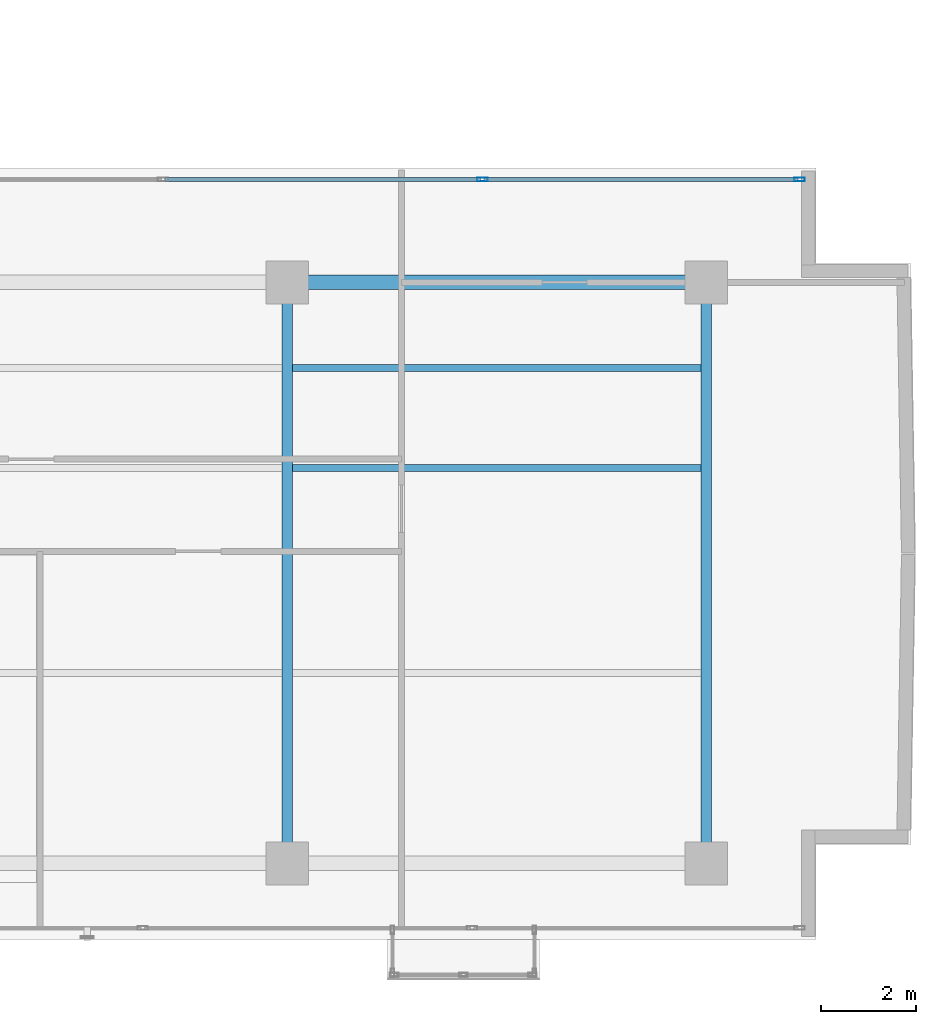
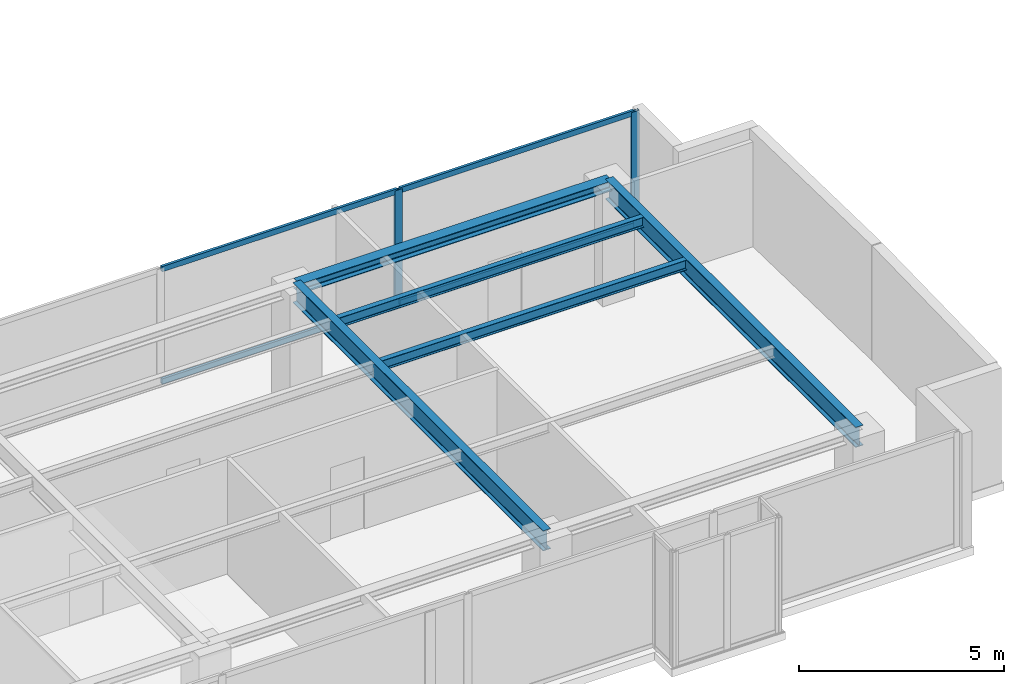
# One storey, part 11 of 23: 6 members, 5 beams, 1 element without a shape of its own.
"""IFC4 building model written with IfcOpenShell, lengths in metres."""

import ifcopenshell
import ifcopenshell.guid

model = None  # the IFC model being written
_history = None  # IfcOwnerHistory: only IFC2X3 demands one
_inside = {}  # id of a spatial element -> (the spatial element, [elements in it])
_under = {}  # id of a project, library or spatial element -> (it, [spatial elements below it])
_declared = {}  # id of a project -> (the project, [libraries it declares])
_typed = {}  # id of a type object -> (the type object, [elements of that type])
_made_of = {}  # id of a material, layer set ... -> (it, [elements and type objects made of it])


def new_model(schema):
    """Start an empty IFC model of exactly this schema.

    Asked for "IFC4X3", IfcOpenShell would pick the latest addendum, in which some entities
    have other attributes; the version numbers below select the first issue.
    IFC2X3 requires an IfcOwnerHistory on every rooted entity: one is made here for all.
    """
    global model, _history
    if schema == "IFC4X3":
        model = ifcopenshell.file(schema_version=(4, 3, 0, 0))
    else:
        model = ifcopenshell.file(schema=schema)
    _inside.clear()
    _under.clear()
    _declared.clear()
    _typed.clear()
    _made_of.clear()
    _history = None
    if model.schema == "IFC2X3":
        org = make("IfcOrganization", Name="unknown")
        user = make(
            "IfcPersonAndOrganization",
            ThePerson=make("IfcPerson", FamilyName="unknown"),
            TheOrganization=org,
        )
        app = make(
            "IfcApplication",
            ApplicationDeveloper=org,
            Version="unknown",
            ApplicationFullName="unknown",
            ApplicationIdentifier="unknown",
        )
        _history = make(
            "IfcOwnerHistory",
            OwningUser=user,
            OwningApplication=app,
            ChangeAction="ADDED",
            CreationDate=0,
        )
    return model


def make(cls, **values):
    """One entity of the class cls with the attributes given. An attribute that is None is left unset."""
    return model.create_entity(
        cls, **{name: value for name, value in values.items() if value is not None}
    )


def rooted(cls, **values):
    """An entity with a GlobalId (a new one), such as an element, a storey or a relation."""
    return make(cls, GlobalId=ifcopenshell.guid.new(), OwnerHistory=_history, **values)


def si_unit(unit_type, name, prefix=None):
    """IfcSIUnit, for example si_unit("LENGTHUNIT", "METRE", prefix="MILLI")."""
    return make("IfcSIUnit", UnitType=unit_type, Prefix=prefix, Name=name)


def assignment(units):
    """IfcUnitAssignment: the units of a project."""
    return None if units is None else make("IfcUnitAssignment", Units=units)


def point(xyz):
    """IfcCartesianPoint."""
    return None if xyz is None else make("IfcCartesianPoint", Coordinates=xyz)


def direction(xyz):
    """IfcDirection."""
    return None if xyz is None else make("IfcDirection", DirectionRatios=xyz)


def frame(location, z_axis=None, x_axis=None):
    """IfcAxis2Placement3D, a coordinate frame: its origin and axes. An axis left out is left unset."""
    return make(
        "IfcAxis2Placement3D",
        Location=point(location),
        Axis=direction(z_axis),
        RefDirection=direction(x_axis),
    )


def frame_2d(location, x_axis=None):
    """IfcAxis2Placement2D, a coordinate frame in the plane: its origin and x axis."""
    return make(
        "IfcAxis2Placement2D", Location=point(location), RefDirection=direction(x_axis)
    )


def origin():
    """The frame at (0, 0, 0) with its axes left unset."""
    return frame((0.0, 0.0, 0.0))


def origin_with_axes():
    """The frame at (0, 0, 0) with the z axis (0, 0, 1) and the x axis (1, 0, 0) written out."""
    return frame((0.0, 0.0, 0.0), z_axis=(0.0, 0.0, 1.0), x_axis=(1.0, 0.0, 0.0))


def origin_2d():
    """The frame at (0, 0) in the plane with its x axis left unset."""
    return frame_2d((0.0, 0.0))


def place(relative_to, where):
    """IfcLocalPlacement: puts the frame where relative to a parent placement (None: the world)."""
    return make(
        "IfcLocalPlacement", PlacementRelTo=relative_to, RelativePlacement=where
    )


def context(
    kind, dimensions, precision=None, world=None, true_north=None, identifier=None
):
    """IfcGeometricRepresentationContext, for example the 3D "Model" context."""
    return make(
        "IfcGeometricRepresentationContext",
        ContextIdentifier=identifier,
        ContextType=kind,
        CoordinateSpaceDimension=dimensions,
        Precision=precision,
        WorldCoordinateSystem=world,
        TrueNorth=true_north,
    )


def subcontext(parent, identifier, kind, view, scale=None):
    """IfcGeometricRepresentationSubContext, for example "Body" below "Model"."""
    return make(
        "IfcGeometricRepresentationSubContext",
        ContextIdentifier=identifier,
        ContextType=kind,
        ParentContext=parent,
        TargetScale=scale,
        TargetView=view,
    )


def project(units=None, contexts=None):
    """IfcProject with its units and contexts."""
    return rooted(
        "IfcProject",
        Name="project",
        RepresentationContexts=contexts,
        UnitsInContext=assignment(units),
    )


def spatial(cls, under=None, at=None, **own):
    """A site, building, storey or space (cls), placed at a placement, below another one or the project."""
    s = rooted(cls, ObjectPlacement=at, **own)
    if under is not None:
        _under.setdefault(under.id(), (under, []))[1].append(s)
    return s


def profile(cls, at=None, kind="AREA", **sizes):
    """A parametric profile (cls). Its sizes go by their IFC names, for example OverallWidth=200.0."""
    return make(cls, ProfileType=kind, Position=at, **sizes)


def hollow_rectangle(**sizes):
    """IfcRectangleHollowProfileDef."""
    return profile("IfcRectangleHollowProfileDef", **sizes)


def i_section(**sizes):
    """IfcIShapeProfileDef."""
    return profile("IfcIShapeProfileDef", **sizes)


def extrude(swept, where, along, depth):
    """IfcExtrudedAreaSolid: the profile swept, set in the frame where, extruded along a direction by depth."""
    return make(
        "IfcExtrudedAreaSolid",
        SweptArea=swept,
        Position=where,
        ExtrudedDirection=direction(along),
        Depth=depth,
    )


def shape(context_of_items, identifier, shape_type, items):
    """IfcShapeRepresentation: the items that make up one representation, for example the "Body"."""
    return make(
        "IfcShapeRepresentation",
        ContextOfItems=context_of_items,
        RepresentationIdentifier=identifier,
        RepresentationType=shape_type,
        Items=items,
    )


def source(mapping_origin, context_of_items, identifier, shape_type, items):
    """IfcRepresentationMap: a shape defined once, which mapped items show again and again."""
    return make(
        "IfcRepresentationMap",
        MappingOrigin=mapping_origin,
        MappedRepresentation=shape(context_of_items, identifier, shape_type, items),
    )


def transform(
    local_origin,
    x_axis=None,
    y_axis=None,
    z_axis=None,
    scale=None,
    scale2=None,
    scale3=None,
    uniform=True,
):
    """IfcCartesianTransformationOperator3D, or its non-uniform kind. x_axis, y_axis, z_axis: its Axis1, 2, 3."""
    if uniform:
        return make(
            "IfcCartesianTransformationOperator3D",
            Axis1=direction(x_axis),
            Axis2=direction(y_axis),
            LocalOrigin=point(local_origin),
            Scale=scale,
            Axis3=direction(z_axis),
        )
    return make(
        "IfcCartesianTransformationOperator3DnonUniform",
        Axis1=direction(x_axis),
        Axis2=direction(y_axis),
        LocalOrigin=point(local_origin),
        Scale=scale,
        Axis3=direction(z_axis),
        Scale2=scale2,
        Scale3=scale3,
    )


def mapped(mapping_source, mapping_target):
    """IfcMappedItem: shows the shape of a source again, moved by a transform."""
    return make(
        "IfcMappedItem", MappingSource=mapping_source, MappingTarget=mapping_target
    )


def material(Name=None, Category=None):
    """IfcMaterial."""
    return make("IfcMaterial", Name=Name, Category=Category)


def layer(
    of_material, thickness, ventilated=None, Name=None, Category=None, Priority=None
):
    """IfcMaterialLayer: one layer of a wall or slab, of a material (None: an air gap)."""
    return make(
        "IfcMaterialLayer",
        Material=of_material,
        LayerThickness=thickness,
        IsVentilated=ventilated,
        Name=Name,
        Category=Category,
        Priority=Priority,
    )


def layer_set(layers, Name=None):
    """IfcMaterialLayerSet."""
    return make("IfcMaterialLayerSet", MaterialLayers=layers, LayerSetName=Name)


def material_profile(
    of_material, cross_section, Name=None, Category=None, Priority=None
):
    """IfcMaterialProfile: a cross section and its material."""
    return make(
        "IfcMaterialProfile",
        Name=Name,
        Material=of_material,
        Profile=cross_section,
        Priority=Priority,
        Category=Category,
    )


def profile_set(profiles, Name=None, composite=None):
    """IfcMaterialProfileSet."""
    return make(
        "IfcMaterialProfileSet",
        Name=Name,
        MaterialProfiles=profiles,
        CompositeProfile=composite,
    )


def made_of(thing, what):
    """Note that an element or type object is made of a material, layer set ...; save() writes the relation."""
    if what is not None:
        _made_of.setdefault(what.id(), (what, []))[1].append(thing)
    return thing


def type_object(cls, material=None, **own):
    """A type object (cls), such as IfcWallType, which elements share."""
    return made_of(rooted(cls, **own), material)


def element(
    cls,
    number,
    at=None,
    inside=None,
    cuts=None,
    type_object=None,
    material=None,
    context=None,
    identifier="Body",
    shape_type=None,
    held_by="IfcProductDefinitionShape",
    body=None,
    shapes=None,
    **own,
):
    """One element of the class cls, such as IfcWall. Its Tag is "e" and its number.

    at: its placement. inside: the storey or other place that contains it. cuts: it is an
    opening in that element (IfcRelVoidsElement). A single representation is given by context,
    identifier, shape_type and body (its items); several are given by shapes. held_by: the class
    of the entity that holds the representations. save() writes the other relations.
    """
    e = rooted(cls, Tag="e%d" % number, ObjectPlacement=at, **own)
    if body is not None:
        shapes = [shape(context, identifier, shape_type, body)]
    if shapes is not None:
        e.Representation = make(held_by, Representations=shapes)
    if inside is not None:
        _inside.setdefault(inside.id(), (inside, []))[1].append(e)
    if cuts is not None:
        rooted(
            "IfcRelVoidsElement", RelatingBuildingElement=cuts, RelatedOpeningElement=e
        )
    if type_object is not None:
        _typed.setdefault(type_object.id(), (type_object, []))[1].append(e)
    return made_of(e, material)


def aggregate(whole, parts):
    """IfcRelAggregates: a whole, such as a stair, and the parts it consists of."""
    return rooted("IfcRelAggregates", RelatingObject=whole, RelatedObjects=parts)


def save(model, path):
    """Write the relations noted so far, then the file.

    IfcRelAggregates (storeys below a building ...), IfcRelContainedInSpatialStructure (elements
    in a storey), IfcRelDefinesByType, IfcRelAssociatesMaterial and IfcRelDeclares: one each for
    every whole, place, type object, material and project.
    """
    for whole, parts in _under.values():
        aggregate(whole, parts)
    for where, things in _inside.values():
        rooted(
            "IfcRelContainedInSpatialStructure",
            RelatedElements=things,
            RelatingStructure=where,
        )
    for kind, things in _typed.values():
        rooted("IfcRelDefinesByType", RelatedObjects=things, RelatingType=kind)
    for what, things in _made_of.values():
        rooted("IfcRelAssociatesMaterial", RelatedObjects=things, RelatingMaterial=what)
    for by, libraries in _declared.values():
        rooted("IfcRelDeclares", RelatingContext=by, RelatedDefinitions=libraries)
    model.write(path)


model = new_model("IFC4")

# Units and contexts
model_context = context("Model", 3, precision=1e-05, world=origin(), true_north=direction((0.0, 1.0)))
body_context = subcontext(model_context, "Body", "Model", "MODEL_VIEW")
ifc_project = project(units=[si_unit("LENGTHUNIT", "METRE"), si_unit("AREAUNIT", "SQUARE_METRE"), si_unit("VOLUMEUNIT", "CUBIC_METRE"), si_unit("PLANEANGLEUNIT", "RADIAN"), si_unit("MASSUNIT", "GRAM", prefix="KILO")], contexts=[model_context])

# Site, building, storey
site_placement = place(None, origin())
site = spatial("IfcSite", under=ifc_project, at=site_placement, CompositionType="ELEMENT")
building_placement = place(site_placement, origin())
building = spatial("IfcBuilding", under=site, at=building_placement, Name="Kolvaren Waterfront Exchange", CompositionType="ELEMENT")
storey_placement = place(building_placement, frame((0.0, 0.0, 335.0)))
storey = spatial("IfcBuildingStorey", under=building, at=storey_placement, Name="L86", CompositionType="ELEMENT", Elevation=335.0)

# Beams
ifc_material_1 = material(Name="Steel S355", Category="steel")
ifc_material_profile_1 = material_profile(ifc_material_1, i_section(OverallWidth=0.300048828125, OverallDepth=0.300048828125, WebThickness=0.010986328125, FlangeThickness=0.01904296875, FilletRadius=0.027099609375, at=origin_2d()), Name="HEB300")
ifc_profile_set_1 = profile_set([ifc_material_profile_1], Name="Steel S355")
beam_type_1 = type_object("IfcBeamType", Name="STR-BM-HEB300", PredefinedType="SPANDREL", material=ifc_profile_set_1)
beam_placement = place(storey_placement, frame((36.800048828125, 17.39990234375, 3.27001953125), z_axis=(1.0, 0.0, 0.0), x_axis=(0.0, 1.0, 0.0)))
element("IfcBeam", 1, at=beam_placement, inside=storey, type_object=beam_type_1, Name="L86 east-arm spandrel N3", PredefinedType="SPANDREL", context=body_context, shape_type="SweptSolid", body=[
    extrude(i_section(OverallWidth=0.300048828125, OverallDepth=0.300048828125, WebThickness=0.010986328125, FlangeThickness=0.01904296875, FilletRadius=0.027099609375, at=origin_2d()), origin(), (0.0, 0.0, 1.0), 8.800048828125),
])
ifc_material_profile_2 = material_profile(ifc_material_1, i_section(OverallWidth=0.14990234375, OverallDepth=0.300048828125, WebThickness=0.007080078125, FlangeThickness=0.0107421875, FilletRadius=0.014892578125, at=origin_2d()), Name="IPE300")
ifc_profile_set_2 = profile_set([ifc_material_profile_2], Name="Steel S355")
beam_type_2 = type_object("IfcBeamType", Name="STR-BM-IPE300", PredefinedType="JOIST", material=ifc_profile_set_2)
for number, where, z_axis, x_axis, name in (
    (2, (36.912109375, 13.5, 3.27001953125), (1.0, 0.0, 0.0), (0.0, 1.0, 0.0), "L86 east-arm composite joist 3A"),
    (3, (36.912109375, 15.60009765625, 3.27001953125), (1.0, 0.0, 0.0), (0.0, 1.0, 0.0), "L86 east-arm composite joist 3C"),
):
    element("IfcBeam", number, at=place(storey_placement, frame(where, z_axis=z_axis, x_axis=x_axis)), inside=storey, type_object=beam_type_2, Name=name, PredefinedType="JOIST", context=body_context, shape_type="SweptSolid", body=[
        extrude(i_section(OverallWidth=0.14990234375, OverallDepth=0.300048828125, WebThickness=0.007080078125, FlangeThickness=0.0107421875, FilletRadius=0.014892578125, at=origin_2d()), origin(), (0.0, 0.0, 1.0), 8.575927734375),
    ])
ifc_material_profile_3 = material_profile(ifc_material_1, i_section(OverallWidth=0.219970703125, OverallDepth=0.60009765625, WebThickness=0.011962890625, FlangeThickness=0.01904296875, FilletRadius=0.02392578125, at=origin_2d()), Name="IPE600")
ifc_profile_set_3 = profile_set([ifc_material_profile_3], Name="Steel S355")
beam_type_3 = type_object("IfcBeamType", Name="STR-BM-IPE600", PredefinedType="BEAM", material=ifc_profile_set_3)
for number, where, z_axis, x_axis, name in (
    (4, (36.800048828125, 5.199951171875, 3.1201171875), (0.0, 1.0, 0.0), (-1.0, 0.0, 0.0), "L86 east-arm transverse girder X36"),
    (5, (45.60009765625, 5.199951171875, 3.1201171875), (0.0, 1.0, 0.0), (-1.0, 0.0, 0.0), "L86 east-arm transverse girder X45"),
):
    element("IfcBeam", number, at=place(storey_placement, frame(where, z_axis=z_axis, x_axis=x_axis)), inside=storey, type_object=beam_type_3, Name=name, PredefinedType="BEAM", context=body_context, shape_type="SweptSolid", body=[
        extrude(i_section(OverallWidth=0.219970703125, OverallDepth=0.60009765625, WebThickness=0.011962890625, FlangeThickness=0.01904296875, FilletRadius=0.02392578125, at=origin_2d()), origin(), (0.0, 0.0, 1.0), 12.199951171875),
    ])

# Curtain wall, members
ifc_material_2 = material(Name="Anodised bronze aluminium 6063-T6", Category="aluminium")
ifc_layer = layer(ifc_material_2, 0.219970703125, Name="Anodised bronze aluminium 6063-T6")
ifc_layer_set = layer_set([ifc_layer], Name="Anodised bronze aluminium 6063-T6")
curtain_wall_type = type_object("IfcCurtainWallType", Name="ARC-CW-SYS1", PredefinedType="USERDEFINED", material=ifc_layer_set)
curtain_wall_placement = place(storey_placement, origin())
curtain_wall = element("IfcCurtainWall", 6, at=curtain_wall_placement, inside=storey, type_object=curtain_wall_type, Name="L86 stick curtain wall CW1 (CW-L86-EN)", ObjectType="STICK CURTAIN WALL", PredefinedType="USERDEFINED")
ifc_material_3 = material(Name="Anodised aluminium 6063-T6", Category="aluminium")
ifc_material_profile_4 = material_profile(ifc_material_3, hollow_rectangle(XDim=0.080078125, YDim=0.219970703125, WallThickness=0.0048828125, at=origin_2d()), Name="ALU-MUL-220x80x5")
ifc_profile_set_4 = profile_set([ifc_material_profile_4], Name="Anodised aluminium 6063-T6")
member_type_1 = type_object("IfcMemberType", Name="ARC-CWM-220", PredefinedType="MULLION", material=ifc_profile_set_4)
shared_shape_1 = source(origin_with_axes(), body_context, "Body", "SweptSolid", [
    extrude(hollow_rectangle(XDim=0.080078125, YDim=0.219970703125, WallThickness=0.0048828125, at=origin_2d()), origin(), (0.0, 0.0, 1.0), 3.419921875),
])
member_1_placement = place(storey_placement, frame((40.896728515625, 19.56005859375, 0.0), z_axis=(0.0, 0.0, 1.0), x_axis=(0.0, 1.0, 0.0)))
member_1 = element("IfcMember", 7, at=member_1_placement, type_object=member_type_1, Name="CW1 mullion 3", PredefinedType="MULLION", context=body_context, shape_type="MappedRepresentation", body=[
    mapped(shared_shape_1, transform((0.0, 0.0, 0.0), x_axis=(1.0, 0.0, 0.0), y_axis=(0.0, 1.0, 0.0), z_axis=(0.0, 0.0, 1.0), scale=1.0)),
])
member_2_placement = place(storey_placement, frame((47.56005859375, 19.56005859375, 0.0), z_axis=(0.0, 0.0, 1.0), x_axis=(0.0, 1.0, 0.0)))
member_2 = element("IfcMember", 8, at=member_2_placement, type_object=member_type_1, Name="CW1 mullion 4", PredefinedType="MULLION", context=body_context, shape_type="MappedRepresentation", body=[
    mapped(shared_shape_1, transform((0.0, 0.0, 0.0), x_axis=(1.0, 0.0, 0.0), y_axis=(0.0, 1.0, 0.0), z_axis=(0.0, 0.0, 1.0), scale=1.0)),
])
ifc_material_profile_5 = material_profile(ifc_material_3, hollow_rectangle(XDim=0.074951171875, YDim=0.159912109375, WallThickness=0.00439453125, at=origin_2d()), Name="ALU-TRN-160x75x4.5")
ifc_profile_set_5 = profile_set([ifc_material_profile_5], Name="Anodised aluminium 6063-T6")
member_type_2 = type_object("IfcMemberType", Name="ARC-CWT-160", PredefinedType="USERDEFINED", material=ifc_profile_set_5)
shared_shape_2 = source(origin_with_axes(), body_context, "Body", "SweptSolid", [
    extrude(hollow_rectangle(XDim=0.074951171875, YDim=0.159912109375, WallThickness=0.00439453125, at=origin_2d()), origin(), (0.0, 0.0, 1.0), 6.583251953125),
])
member_3_placement = place(storey_placement, frame((40.936767578125, 19.56005859375, 0.03759765625), z_axis=(1.0, 0.0, 0.0), x_axis=(0.0, 1.0, 0.0)))
member_3 = element("IfcMember", 9, at=member_3_placement, type_object=member_type_2, Name="CW1 transom 3.1", ObjectType="TRANSOM", PredefinedType="USERDEFINED", context=body_context, shape_type="MappedRepresentation", body=[
    mapped(shared_shape_2, transform((0.0, 0.0, 0.0), x_axis=(1.0, 0.0, 0.0), y_axis=(0.0, 1.0, 0.0), z_axis=(0.0, 0.0, 1.0), scale=1.0)),
])
member_4_placement = place(storey_placement, frame((40.936767578125, 19.56005859375, 3.382568359375), z_axis=(1.0, 0.0, 0.0), x_axis=(0.0, 1.0, 0.0)))
member_4 = element("IfcMember", 10, at=member_4_placement, type_object=member_type_2, Name="CW1 transom 3.2", ObjectType="TRANSOM", PredefinedType="USERDEFINED", context=body_context, shape_type="MappedRepresentation", body=[
    mapped(shared_shape_2, transform((0.0, 0.0, 0.0), x_axis=(1.0, 0.0, 0.0), y_axis=(0.0, 1.0, 0.0), z_axis=(0.0, 0.0, 1.0), scale=1.0)),
])
shared_shape_3 = source(origin_with_axes(), body_context, "Body", "SweptSolid", [
    extrude(hollow_rectangle(XDim=0.074951171875, YDim=0.159912109375, WallThickness=0.00439453125, at=origin_2d()), origin(), (0.0, 0.0, 1.0), 6.623291015625),
])
member_5_placement = place(storey_placement, frame((34.2333984375, 19.56005859375, 0.03759765625), z_axis=(1.0, 0.0, 0.0), x_axis=(0.0, 1.0, 0.0)))
member_5 = element("IfcMember", 11, at=member_5_placement, type_object=member_type_2, Name="CW1 transom 2.1", ObjectType="TRANSOM", PredefinedType="USERDEFINED", context=body_context, shape_type="MappedRepresentation", body=[
    mapped(shared_shape_3, transform((0.0, 0.0, 0.0), x_axis=(1.0, 0.0, 0.0), y_axis=(0.0, 1.0, 0.0), z_axis=(0.0, 0.0, 1.0), scale=1.0)),
])
member_6_placement = place(storey_placement, frame((34.2333984375, 19.56005859375, 3.382568359375), z_axis=(1.0, 0.0, 0.0), x_axis=(0.0, 1.0, 0.0)))
member_6 = element("IfcMember", 12, at=member_6_placement, type_object=member_type_2, Name="CW1 transom 2.2", ObjectType="TRANSOM", PredefinedType="USERDEFINED", context=body_context, shape_type="MappedRepresentation", body=[
    mapped(shared_shape_3, transform((0.0, 0.0, 0.0), x_axis=(1.0, 0.0, 0.0), y_axis=(0.0, 1.0, 0.0), z_axis=(0.0, 0.0, 1.0), scale=1.0)),
])
aggregate(curtain_wall, [member_1, member_2, member_5, member_6, member_3, member_4])

save(model, "model.ifc")
